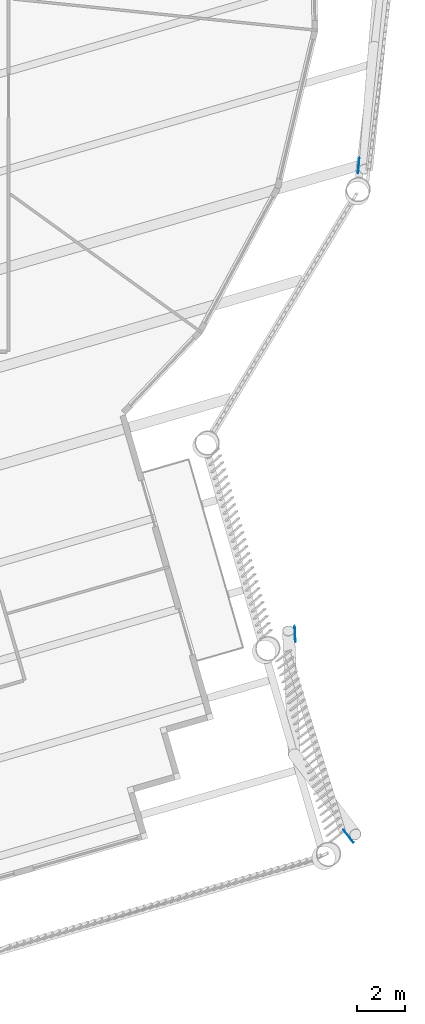
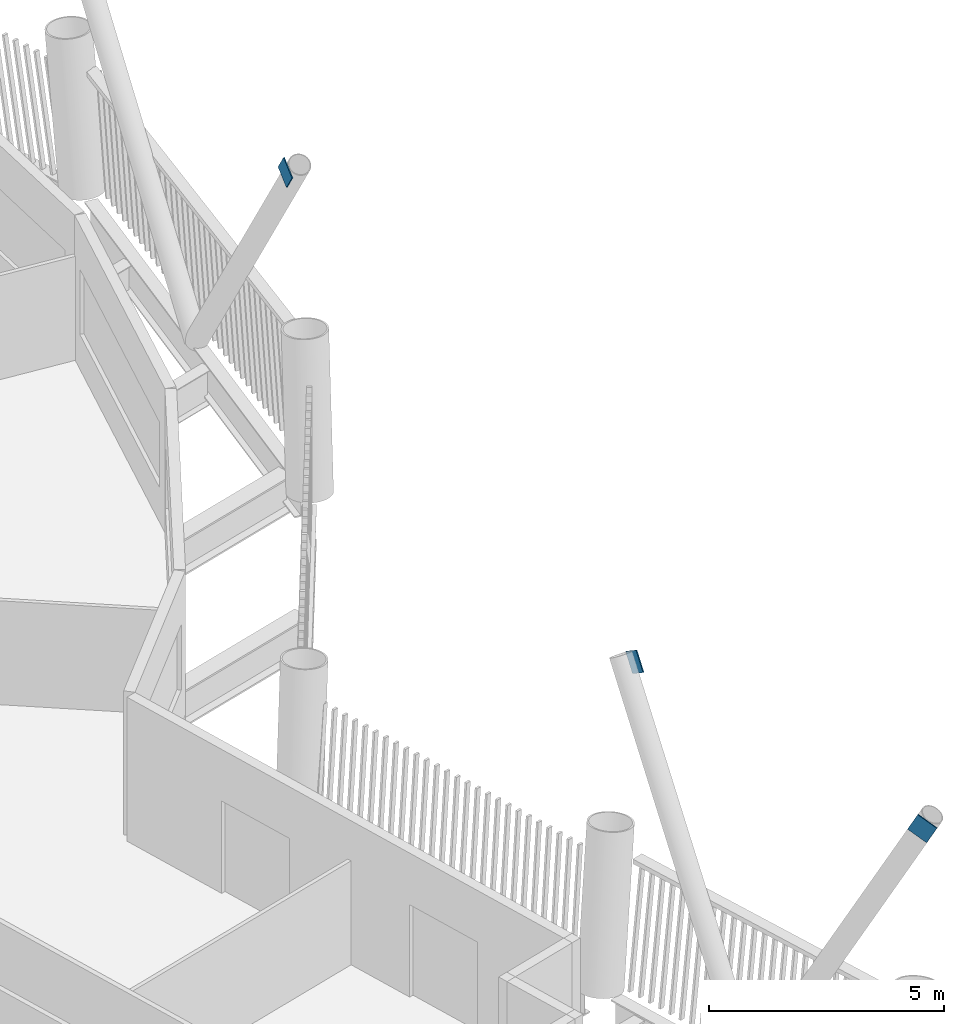
# One storey, part 11 of 20: 3 discrete accessories.
"""IFC4 building model written with IfcOpenShell, lengths in metres."""

from ifc_helpers import new_model, si_unit, direction, frame, origin, origin_2d, place, context, subcontext, project, spatial, rectangle, extrude, material, material_profile, profile_set, type_object, element, save


model = new_model("IFC4")

# Units and contexts
model_context = context("Model", 3, precision=1e-05, world=origin(), true_north=direction((0.0, 1.0)))
body_context = subcontext(model_context, "Body", "Model", "MODEL_VIEW")
ifc_project = project(units=[si_unit("LENGTHUNIT", "METRE"), si_unit("AREAUNIT", "SQUARE_METRE"), si_unit("VOLUMEUNIT", "CUBIC_METRE"), si_unit("PLANEANGLEUNIT", "RADIAN"), si_unit("MASSUNIT", "GRAM", prefix="KILO")], contexts=[model_context])

# Site, building, storey
site_placement = place(None, origin())
site = spatial("IfcSite", under=ifc_project, at=site_placement, CompositionType="ELEMENT")
building_placement = place(site_placement, origin())
building = spatial("IfcBuilding", under=site, at=building_placement, Name="Tarsis Ring Headquarters", CompositionType="ELEMENT")
storey_placement = place(building_placement, frame((0.0, 0.0, 294.199951171875)))
storey = spatial("IfcBuildingStorey", under=building, at=storey_placement, Name="L69", CompositionType="ELEMENT", Elevation=294.199951171875)

# Discrete accessories
ifc_material = material(Name="Structural steel S355", Category="steel")
ifc_material_profile = material_profile(ifc_material, rectangle(XDim=0.02490234375, YDim=0.5, at=origin_2d()), Name="PL 25x500")
ifc_profile_set = profile_set([ifc_material_profile], Name="Structural steel S355")
discrete_accessory_type = type_object("IfcDiscreteAccessoryType", Name="Gusset plate Exo brace 25", PredefinedType="BRACKET", material=ifc_profile_set)
for number, where, z_axis, x_axis, name in (
    (1, (24.89404296875, -27.584228515625, 7.800048828125), (0.025389487, -0.54978004543, -0.834923514818), (0.998935352292, 0.046132005612, 0.0), "Gusset plate GP5"),
    (2, (27.1904296875, -36.217041015625, 7.800048828125), (-0.28663301909, 0.375503904055, -0.881384326163), (-0.794885648003, -0.606759265771, 0.0), "Gusset plate GP5"),
    (3, (27.533203125, -8.40771484375, 7.800048828125), (0.042968903669, 0.546388672792, -0.836428772558), (-0.996922015419, 0.078399586557, 0.0), "Gusset plate GP5"),
):
    element("IfcDiscreteAccessory", number, at=place(storey_placement, frame(where, z_axis=z_axis, x_axis=x_axis)), inside=storey, type_object=discrete_accessory_type, Name=name, PredefinedType="BRACKET", context=body_context, shape_type="SweptSolid", body=[
        extrude(rectangle(XDim=0.02490234375, YDim=0.5, at=origin_2d()), origin(), (0.0, 0.0, 1.0), 0.5),
    ])

save(model, "model.ifc")
